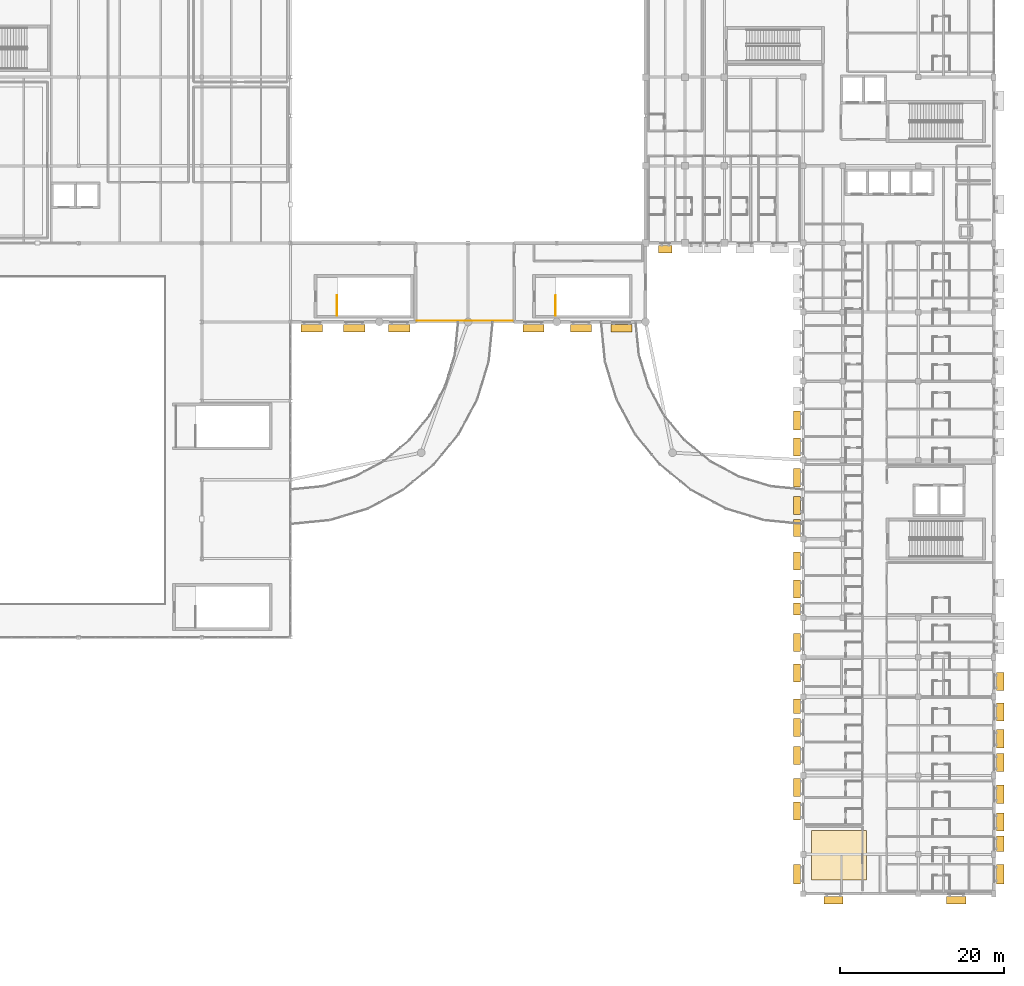
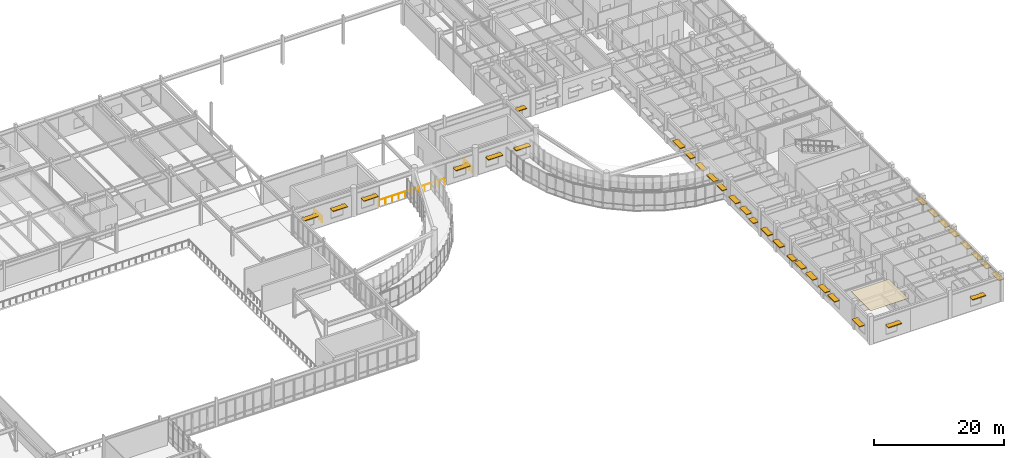
# One storey, part 65 of 68: 33 shading devices, 3 railings, 1 covering.
"""IFC4 building model written with IfcOpenShell, lengths in metres."""

from ifc_helpers import new_model, si_unit, direction, frame, origin, origin_2d, place, context, subcontext, project, spatial, polyline, rectangle, circle, outline, extrude, material, layer, layer_set, type_object, element, save


model = new_model("IFC4")

# Units and contexts
model_context = context("Model", 3, precision=1e-05, world=origin(), true_north=direction((0.0, 1.0)))
body_context = subcontext(model_context, "Body", "Model", "MODEL_VIEW")
ifc_project = project(units=[si_unit("LENGTHUNIT", "METRE"), si_unit("AREAUNIT", "SQUARE_METRE"), si_unit("VOLUMEUNIT", "CUBIC_METRE"), si_unit("PLANEANGLEUNIT", "RADIAN"), si_unit("MASSUNIT", "GRAM", prefix="KILO")], contexts=[model_context])

# Site, building, storey
site_placement = place(None, origin())
site = spatial("IfcSite", under=ifc_project, at=site_placement, CompositionType="ELEMENT")
building_placement = place(site_placement, origin())
building = spatial("IfcBuilding", under=site, at=building_placement, Name="Veldera Park Congress Hotel", CompositionType="ELEMENT")
storey_placement = place(building_placement, frame((0.0, 0.0, 10.800048828125)))
storey = spatial("IfcBuildingStorey", under=building, at=storey_placement, Name="L02", CompositionType="ELEMENT", Elevation=10.800048828125)

# Railing
ifc_material_1 = material(Name="Low-E Triple Insulating Glass Unit (SHGC 0.22)", Category="glass")
railing_type_1 = type_object("IfcRailingType", Name="BAL-TER115", PredefinedType="BALUSTRADE", material=ifc_material_1)
railing_placement = place(storey_placement, frame((13.800048828125, 17.550048828125, 0.0)))
element("IfcRailing", 1, at=railing_placement, inside=storey, type_object=railing_type_1, Name="L02 Terrace Guard 001", PredefinedType="BALUSTRADE", context=body_context, shape_type="SweptSolid", body=[
    extrude(circle(Radius=0.02392578125, at=origin_2d()), frame((0.0, 0.0, 1.1259765625), z_axis=(1.0, 0.0, 0.0), x_axis=(0.0, 1.0, 0.0)), (0.0, 0.0, 1.0), 11.599853515625),
    extrude(circle(Radius=0.02099609375, at=origin_2d()), origin(), (0.0, 0.0, 1.0), 1.101806640625),
    extrude(circle(Radius=0.02099609375, at=origin_2d()), frame((1.159912109375, 0.0, 0.0)), (0.0, 0.0, 1.0), 1.101806640625),
    extrude(circle(Radius=0.02099609375, at=origin_2d()), frame((2.320068359375, 0.0, 0.0)), (0.0, 0.0, 1.0), 1.101806640625),
    extrude(circle(Radius=0.02099609375, at=origin_2d()), frame((3.47998046875, 0.0, 0.0)), (0.0, 0.0, 1.0), 1.101806640625),
    extrude(circle(Radius=0.02099609375, at=origin_2d()), frame((4.639892578125, 0.0, 0.0)), (0.0, 0.0, 1.0), 1.101806640625),
    extrude(circle(Radius=0.02099609375, at=origin_2d()), frame((5.7998046875, 0.0, 0.0)), (0.0, 0.0, 1.0), 1.101806640625),
    extrude(circle(Radius=0.02099609375, at=origin_2d()), frame((6.9599609375, 0.0, 0.0)), (0.0, 0.0, 1.0), 1.101806640625),
    extrude(circle(Radius=0.02099609375, at=origin_2d()), frame((8.119873046875, 0.0, 0.0)), (0.0, 0.0, 1.0), 1.101806640625),
    extrude(circle(Radius=0.02099609375, at=origin_2d()), frame((9.27978515625, 0.0, 0.0)), (0.0, 0.0, 1.0), 1.101806640625),
    extrude(circle(Radius=0.02099609375, at=origin_2d()), frame((10.43994140625, 0.0, 0.0)), (0.0, 0.0, 1.0), 1.101806640625),
    extrude(circle(Radius=0.02099609375, at=origin_2d()), frame((11.599853515625, 0.0, 0.0)), (0.0, 0.0, 1.0), 1.101806640625),
])

# Covering
ifc_material_2 = material(Name="Micro-Perforated Western Hemlock Acoustic Timber", Category="wood")
ifc_layer = layer(ifc_material_2, 0.044921875)
ifc_layer_set = layer_set([ifc_layer], Name="Micro-Perforated Western Hemlock Acoustic Timber")
covering_type = type_object("IfcCoveringType", Name="COV-CLG-TIM", PredefinedType="CEILING", material=ifc_layer_set)
covering_placement = place(storey_placement, frame((0.0, 0.0, 4.7548828125)))
element("IfcCovering", 2, at=covering_placement, inside=storey, type_object=covering_type, Name="Garden Bridge Lounge Acoustic Ceiling", PredefinedType="CEILING", context=body_context, shape_type="SweptSolid", body=[
    extrude(outline(polyline([(61.800048828125, -50.5), (68.5, -50.5), (68.5, -44.5), (61.800048828125, -44.5), (61.800048828125, -50.5)])), origin(), (0.0, 0.0, 1.0), 0.045166015625),
])

# Railings
ifc_material_3 = material(Name="Steel ASTM A992 Gr.50", Category="steel")
railing_type_2 = type_object("IfcRailingType", Name="GRD-ST110", PredefinedType="GUARDRAIL", material=ifc_material_3)
for number, where, name in (
    (3, (4.050048828125, 18.199951171875, 0.0), "L02 ST6 top well guard 1"),
    (4, (30.64990234375, 18.199951171875, 0.0), "L02 ST7 top well guard 1"),
):
    element("IfcRailing", number, at=place(storey_placement, frame(where)), inside=storey, type_object=railing_type_2, Name=name, PredefinedType="GUARDRAIL", context=body_context, shape_type="SweptSolid", body=[
        extrude(circle(Radius=0.02392578125, at=origin_2d()), frame((0.0, 0.0, 1.076171875), z_axis=(0.0, 1.0, 0.0), x_axis=(-1.0, 0.0, 0.0)), (0.0, 0.0, 1.0), 2.400146484375),
        extrude(circle(Radius=0.02099609375, at=origin_2d()), origin(), (0.0, 0.0, 1.0), 1.052001953125),
        extrude(circle(Radius=0.02099609375, at=origin_2d()), frame((0.0, 0.800048828125, 0.0)), (0.0, 0.0, 1.0), 1.052001953125),
        extrude(circle(Radius=0.02099609375, at=origin_2d()), frame((0.0, 1.60009765625, 0.0)), (0.0, 0.0, 1.0), 1.052001953125),
        extrude(circle(Radius=0.02099609375, at=origin_2d()), frame((0.0, 2.400146484375, 0.0)), (0.0, 0.0, 1.0), 1.052001953125),
    ])

# Shading devices
ifc_material_4 = material(Name="Glulam GL28h (NDS 24F-V4)", Category="wood")
shading_device_type = type_object("IfcShadingDeviceType", Name="SHD-SHF450", PredefinedType="AWNING", material=ifc_material_4)
for number, where, z_axis, x_axis, name in (
    (5, (0.98583984375, 16.6298828125, 2.85986328125), (0.0, 0.0, 1.0), (1.0, 0.0, 0.0), "Glulam Solar Shade 69"),
    (6, (6.146484375, 16.6298828125, 2.85986328125), (0.0, 0.0, 1.0), (1.0, 0.0, 0.0), "Glulam Solar Shade 70"),
    (7, (11.636474609375, 16.6298828125, 2.85986328125), (0.0, 0.0, 1.0), (1.0, 0.0, 0.0), "Glulam Solar Shade 71"),
    (8, (27.96337890625, 16.6298828125, 2.85986328125), (0.0, 0.0, 1.0), (1.0, 0.0, 0.0), "Glulam Solar Shade 72"),
    (9, (33.736572265625, 16.6298828125, 2.85986328125), (0.0, 0.0, 1.0), (1.0, 0.0, 0.0), "Glulam Solar Shade 73"),
    (10, (38.66357421875, 16.6298828125, 2.85986328125), (0.0, 0.0, 1.0), (1.0, 0.0, 0.0), "Glulam Solar Shade 74"),
):
    element("IfcShadingDevice", number, at=place(storey_placement, frame(where, z_axis=z_axis, x_axis=x_axis)), inside=storey, type_object=shading_device_type, Name=name, PredefinedType="AWNING", context=body_context, shape_type="SweptSolid", body=[
        extrude(rectangle(XDim=2.60009765625, YDim=0.89990234375, at=origin_2d()), origin(), (0.0, 0.0, 1.0), 0.139892578125),
    ])
for number, where, z_axis, x_axis, name in (
    (11, (64.481201171875, -52.969970703125, 2.759765625), (0.0, 0.0, 1.0), (1.0, 0.0, 0.0), "Glulam Solar Shade 125"),
    (12, (79.425048828125, -52.969970703125, 2.759765625), (0.0, 0.0, 1.0), (1.0, 0.0, 0.0), "Glulam Solar Shade 126"),
    (13, (84.77001953125, -49.800048828125, 2.759765625), (0.0, 0.0, 1.0), (0.0, 1.0, 0.0), "Glulam Solar Shade 127"),
):
    element("IfcShadingDevice", number, at=place(storey_placement, frame(where, z_axis=z_axis, x_axis=x_axis)), inside=storey, type_object=shading_device_type, Name=name, PredefinedType="AWNING", context=body_context, shape_type="SweptSolid", body=[
        extrude(rectangle(XDim=2.35009765625, YDim=0.89990234375, at=origin_2d()), origin(), (0.0, 0.0, 1.0), 0.139892578125),
    ])
shading_device_1_placement = place(storey_placement, frame((44.0, 26.22998046875, 2.41015625), z_axis=(0.0, 0.0, 1.0), x_axis=(1.0, 0.0, 0.0)))
element("IfcShadingDevice", 14, at=shading_device_1_placement, inside=storey, type_object=shading_device_type, Name="Glulam Solar Shade 131", PredefinedType="AWNING", context=body_context, shape_type="SweptSolid", body=[
    extrude(rectangle(XDim=1.60009765625, YDim=0.89990234375, at=origin_2d()), origin(), (0.0, 0.0, 1.0), 0.139892578125),
])
for number, where, z_axis, x_axis, name in (
    (15, (60.030029296875, 5.39990234375, 2.759765625), (0.0, 0.0, 1.0), (0.0, -1.0, 0.0), "Glulam Solar Shade 132"),
    (16, (60.030029296875, -49.800048828125, 2.759765625), (0.0, 0.0, 1.0), (0.0, -1.0, 0.0), "Glulam Solar Shade 133"),
):
    element("IfcShadingDevice", number, at=place(storey_placement, frame(where, z_axis=z_axis, x_axis=x_axis)), inside=storey, type_object=shading_device_type, Name=name, PredefinedType="AWNING", context=body_context, shape_type="SweptSolid", body=[
        extrude(rectangle(XDim=2.35009765625, YDim=0.89990234375, at=origin_2d()), origin(), (0.0, 0.0, 1.0), 0.139892578125),
    ])
for number, where, z_axis, x_axis, name in (
    (17, (60.030029296875, -42.1201171875, 2.7099609375), (0.0, 0.0, 1.0), (0.0, -1.0, 0.0), "Glulam Solar Shade 279"),
    (18, (60.030029296875, -39.259033203125, 2.7099609375), (0.0, 0.0, 1.0), (0.0, -1.0, 0.0), "Glulam Solar Shade 280"),
    (19, (60.030029296875, -35.360107421875, 2.7099609375), (0.0, 0.0, 1.0), (0.0, -1.0, 0.0), "Glulam Solar Shade 281"),
    (20, (60.030029296875, -31.97998046875, 2.7099609375), (0.0, 0.0, 1.0), (0.0, -1.0, 0.0), "Glulam Solar Shade 282"),
):
    element("IfcShadingDevice", number, at=place(storey_placement, frame(where, z_axis=z_axis, x_axis=x_axis)), inside=storey, type_object=shading_device_type, Name=name, PredefinedType="AWNING", context=body_context, shape_type="SweptSolid", body=[
        extrude(rectangle(XDim=2.199951171875, YDim=0.89990234375, at=origin_2d()), origin(), (0.0, 0.0, 1.0), 0.139892578125),
    ])
shading_device_2_placement = place(storey_placement, frame((60.030029296875, -29.388916015625, 2.509765625), z_axis=(0.0, 0.0, 1.0), x_axis=(0.0, -1.0, 0.0)))
element("IfcShadingDevice", 21, at=shading_device_2_placement, inside=storey, type_object=shading_device_type, Name="Glulam Solar Shade 283", PredefinedType="AWNING", context=body_context, shape_type="SweptSolid", body=[
    extrude(rectangle(XDim=1.75, YDim=0.89990234375, at=origin_2d()), origin(), (0.0, 0.0, 1.0), 0.139892578125),
])
for number, where, z_axis, x_axis, name in (
    (22, (60.030029296875, -25.299072265625, 2.7099609375), (0.0, 0.0, 1.0), (0.0, -1.0, 0.0), "Glulam Solar Shade 284"),
    (23, (60.030029296875, -21.631103515625, 2.7099609375), (0.0, 0.0, 1.0), (0.0, -1.0, 0.0), "Glulam Solar Shade 285"),
):
    element("IfcShadingDevice", number, at=place(storey_placement, frame(where, z_axis=z_axis, x_axis=x_axis)), inside=storey, type_object=shading_device_type, Name=name, PredefinedType="AWNING", context=body_context, shape_type="SweptSolid", body=[
        extrude(rectangle(XDim=2.199951171875, YDim=0.89990234375, at=origin_2d()), origin(), (0.0, 0.0, 1.0), 0.139892578125),
    ])
shading_device_3_placement = place(storey_placement, frame((60.030029296875, -17.541015625, 2.31005859375), z_axis=(0.0, 0.0, 1.0), x_axis=(0.0, -1.0, 0.0)))
element("IfcShadingDevice", 24, at=shading_device_3_placement, inside=storey, type_object=shading_device_type, Name="Glulam Solar Shade 286", PredefinedType="AWNING", context=body_context, shape_type="SweptSolid", body=[
    extrude(rectangle(XDim=1.449951171875, YDim=0.89990234375, at=origin_2d()), origin(), (0.0, 0.0, 1.0), 0.139892578125),
])
for number, where, z_axis, x_axis, name in (
    (25, (60.030029296875, -15.080078125, 2.7099609375), (0.0, 0.0, 1.0), (0.0, -1.0, 0.0), "Glulam Solar Shade 287"),
    (26, (60.030029296875, -11.699951171875, 2.7099609375), (0.0, 0.0, 1.0), (0.0, -1.0, 0.0), "Glulam Solar Shade 288"),
):
    element("IfcShadingDevice", number, at=place(storey_placement, frame(where, z_axis=z_axis, x_axis=x_axis)), inside=storey, type_object=shading_device_type, Name=name, PredefinedType="AWNING", context=body_context, shape_type="SweptSolid", body=[
        extrude(rectangle(XDim=2.199951171875, YDim=0.89990234375, at=origin_2d()), origin(), (0.0, 0.0, 1.0), 0.139892578125),
    ])
shading_device_4_placement = place(storey_placement, frame((60.030029296875, -7.6708984375, 2.66015625), z_axis=(0.0, 0.0, 1.0), x_axis=(0.0, -1.0, 0.0)))
element("IfcShadingDevice", 27, at=shading_device_4_placement, inside=storey, type_object=shading_device_type, Name="Glulam Solar Shade 289", PredefinedType="AWNING", context=body_context, shape_type="SweptSolid", body=[
    extrude(rectangle(XDim=2.050048828125, YDim=0.89990234375, at=origin_2d()), origin(), (0.0, 0.0, 1.0), 0.139892578125),
])
for number, where, z_axis, x_axis, name in (
    (28, (60.030029296875, -4.93994140625, 2.7099609375), (0.0, 0.0, 1.0), (0.0, -1.0, 0.0), "Glulam Solar Shade 290"),
    (29, (60.030029296875, -1.56005859375, 2.7099609375), (0.0, 0.0, 1.0), (0.0, -1.0, 0.0), "Glulam Solar Shade 291"),
    (30, (60.030029296875, 2.198974609375, 2.7099609375), (0.0, 0.0, 1.0), (0.0, -1.0, 0.0), "Glulam Solar Shade 292"),
):
    element("IfcShadingDevice", number, at=place(storey_placement, frame(where, z_axis=z_axis, x_axis=x_axis)), inside=storey, type_object=shading_device_type, Name=name, PredefinedType="AWNING", context=body_context, shape_type="SweptSolid", body=[
        extrude(rectangle(XDim=2.199951171875, YDim=0.89990234375, at=origin_2d()), origin(), (0.0, 0.0, 1.0), 0.139892578125),
    ])
shading_device_5_placement = place(storey_placement, frame((84.77001953125, -46.10595703125, 2.60986328125), z_axis=(0.0, 0.0, 1.0), x_axis=(0.0, 1.0, 0.0)))
element("IfcShadingDevice", 31, at=shading_device_5_placement, inside=storey, type_object=shading_device_type, Name="Glulam Solar Shade 299", PredefinedType="AWNING", context=body_context, shape_type="SweptSolid", body=[
    extrude(rectangle(XDim=1.89990234375, YDim=0.89990234375, at=origin_2d()), origin(), (0.0, 0.0, 1.0), 0.139892578125),
])
for number, where, z_axis, x_axis, name in (
    (32, (84.77001953125, -43.4599609375, 2.7099609375), (0.0, 0.0, 1.0), (0.0, 1.0, 0.0), "Glulam Solar Shade 300"),
    (33, (84.77001953125, -40.080078125, 2.7099609375), (0.0, 0.0, 1.0), (0.0, 1.0, 0.0), "Glulam Solar Shade 301"),
    (34, (84.77001953125, -36.236083984375, 2.7099609375), (0.0, 0.0, 1.0), (0.0, 1.0, 0.0), "Glulam Solar Shade 302"),
    (35, (84.77001953125, -33.320068359375, 2.7099609375), (0.0, 0.0, 1.0), (0.0, 1.0, 0.0), "Glulam Solar Shade 303"),
    (36, (84.77001953125, -30.083984375, 2.7099609375), (0.0, 0.0, 1.0), (0.0, 1.0, 0.0), "Glulam Solar Shade 304"),
    (37, (84.77001953125, -26.365966796875, 2.7099609375), (0.0, 0.0, 1.0), (0.0, 1.0, 0.0), "Glulam Solar Shade 305"),
):
    element("IfcShadingDevice", number, at=place(storey_placement, frame(where, z_axis=z_axis, x_axis=x_axis)), inside=storey, type_object=shading_device_type, Name=name, PredefinedType="AWNING", context=body_context, shape_type="SweptSolid", body=[
        extrude(rectangle(XDim=2.199951171875, YDim=0.89990234375, at=origin_2d()), origin(), (0.0, 0.0, 1.0), 0.139892578125),
    ])

save(model, "model.ifc")
